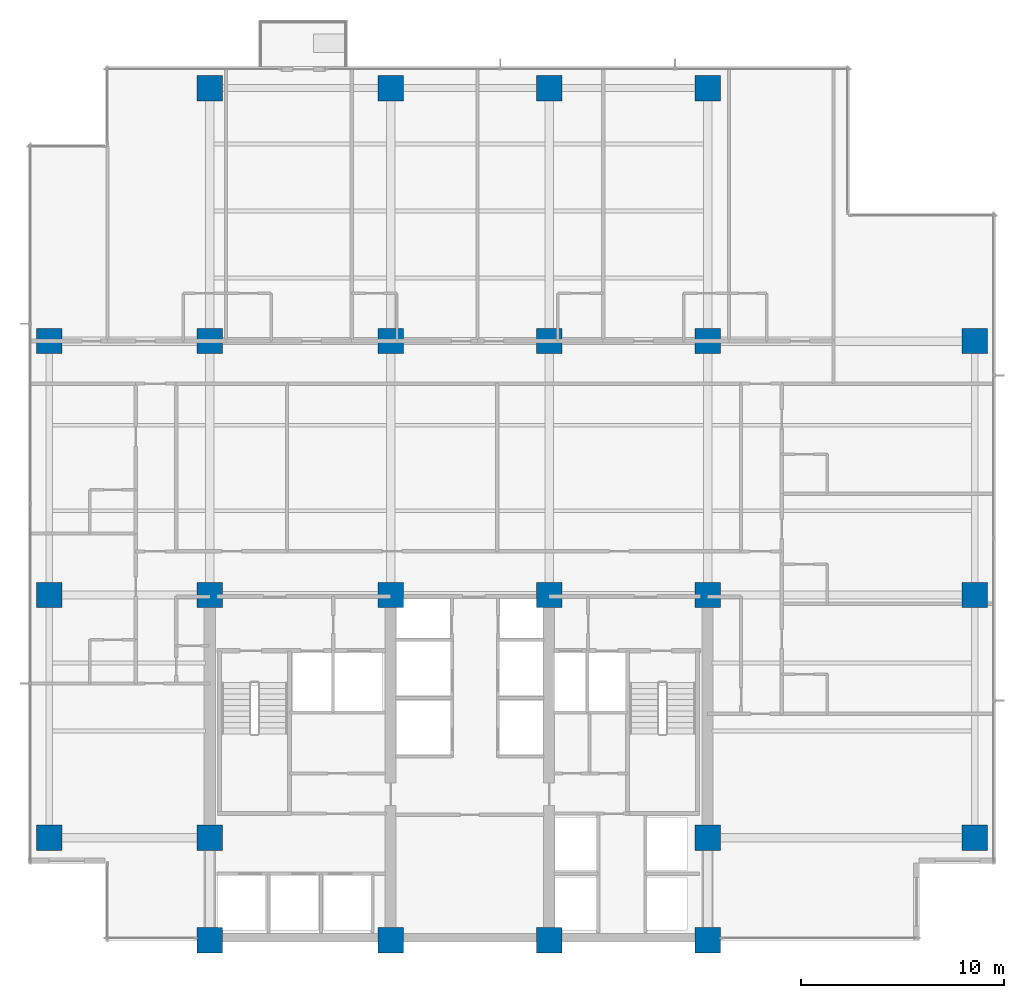
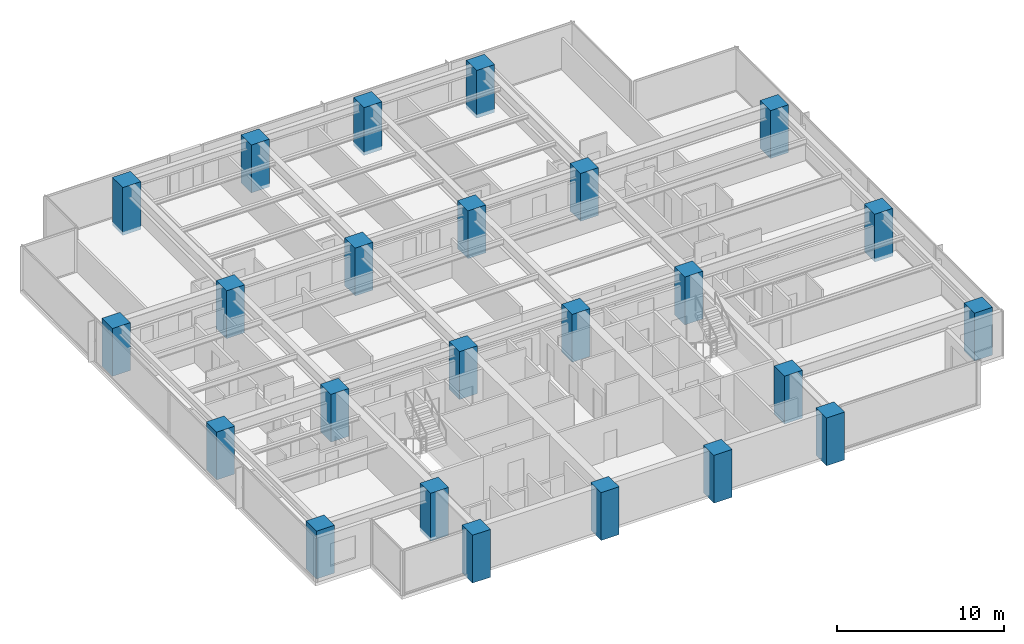
# One storey, part 1 of 17: 24 columns.
"""IFC4 building model written with IfcOpenShell, lengths in metres."""

from ifc_helpers import new_model, si_unit, direction, frame, origin, origin_2d, place, context, subcontext, project, spatial, rectangle, extrude, material, material_profile, profile_set, type_object, element, save


model = new_model("IFC4")

# Units and contexts
model_context = context("Model", 3, precision=1e-05, world=origin(), true_north=direction((0.0, 1.0)))
body_context = subcontext(model_context, "Body", "Model", "MODEL_VIEW")
ifc_project = project(units=[si_unit("LENGTHUNIT", "METRE"), si_unit("AREAUNIT", "SQUARE_METRE"), si_unit("VOLUMEUNIT", "CUBIC_METRE"), si_unit("PLANEANGLEUNIT", "RADIAN"), si_unit("MASSUNIT", "GRAM", prefix="KILO")], contexts=[model_context])

# Site, building, storey
site_placement = place(None, origin())
site = spatial("IfcSite", under=ifc_project, at=site_placement, CompositionType="ELEMENT")
building_placement = place(site_placement, origin())
building = spatial("IfcBuilding", under=site, at=building_placement, Name="Qalmaran Belvedere Hotel", CompositionType="ELEMENT")
storey_placement = place(building_placement, frame((0.0, 0.0, 105.699951171875)))
storey = spatial("IfcBuildingStorey", under=building, at=storey_placement, Name="L26", CompositionType="ELEMENT", Elevation=105.699951171875)

# Columns
ifc_material = material(Name="Concrete C60/75", Category="concrete")
ifc_material_profile = material_profile(ifc_material, rectangle(XDim=1.25, YDim=1.25, at=origin_2d()), Name="CC1250X1250")
ifc_profile_set = profile_set([ifc_material_profile], Name="Concrete C60/75")
column_type = type_object("IfcColumnType", Name="COL-Z2-CC1250", PredefinedType="COLUMN", material=ifc_profile_set)
for number, where, z_axis, x_axis, name in (
    (1, (20.300048828125, 3.5, -0.260009765625), (0.0, 0.0, 1.0), (1.0, 0.0, 0.0), "L26 Column C4B"),
    (2, (29.199951171875, 3.5, -0.260009765625), (0.0, 0.0, 1.0), (1.0, 0.0, 0.0), "L26 Column C5B"),
    (3, (37.0, 3.5, -0.260009765625), (0.0, 0.0, 1.0), (1.0, 0.0, 0.0), "L26 Column C6B"),
    (4, (44.800048828125, 3.5, -0.260009765625), (0.0, 0.0, 1.0), (1.0, 0.0, 0.0), "L26 Column C7B"),
    (5, (20.300048828125, 8.550048828125, -0.260009765625), (0.0, 0.0, 1.0), (1.0, 0.0, 0.0), "L26 Column C4C"),
    (6, (44.800048828125, 8.550048828125, -0.260009765625), (0.0, 0.0, 1.0), (1.0, 0.0, 0.0), "L26 Column C7C"),
    (7, (20.300048828125, 20.5, -0.260009765625), (0.0, 0.0, 1.0), (1.0, 0.0, 0.0), "L26 Column C4D"),
    (8, (29.199951171875, 20.5, -0.260009765625), (0.0, 0.0, 1.0), (1.0, 0.0, 0.0), "L26 Column C5D"),
    (9, (37.0, 20.5, -0.260009765625), (0.0, 0.0, 1.0), (1.0, 0.0, 0.0), "L26 Column C6D"),
    (10, (44.800048828125, 20.5, -0.260009765625), (0.0, 0.0, 1.0), (1.0, 0.0, 0.0), "L26 Column C7D"),
    (11, (20.300048828125, 33.0, -0.260009765625), (0.0, 0.0, 1.0), (1.0, 0.0, 0.0), "L26 Column C4F"),
    (12, (29.199951171875, 33.0, -0.260009765625), (0.0, 0.0, 1.0), (1.0, 0.0, 0.0), "L26 Column C5F"),
    (13, (37.0, 33.0, -0.260009765625), (0.0, 0.0, 1.0), (1.0, 0.0, 0.0), "L26 Column C6F"),
    (14, (44.800048828125, 33.0, -0.260009765625), (0.0, 0.0, 1.0), (1.0, 0.0, 0.0), "L26 Column C7F"),
    (15, (12.39990234375, 8.550048828125, -0.260009765625), (0.0, 0.0, 1.0), (1.0, 0.0, 0.0), "L26 Column CW1"),
    (16, (12.39990234375, 20.5, -0.260009765625), (0.0, 0.0, 1.0), (1.0, 0.0, 0.0), "L26 Column CW3"),
    (17, (12.39990234375, 33.0, -0.260009765625), (0.0, 0.0, 1.0), (1.0, 0.0, 0.0), "L26 Column CW4"),
    (18, (57.949951171875, 8.550048828125, -0.260009765625), (0.0, 0.0, 1.0), (1.0, 0.0, 0.0), "L26 Column CE1"),
    (19, (57.949951171875, 20.5, -0.260009765625), (0.0, 0.0, 1.0), (1.0, 0.0, 0.0), "L26 Column CE3"),
    (20, (57.949951171875, 33.0, -0.260009765625), (0.0, 0.0, 1.0), (1.0, 0.0, 0.0), "L26 Column CE4"),
    (21, (20.300048828125, 45.449951171875, -0.260009765625), (0.0, 0.0, 1.0), (1.0, 0.0, 0.0), "L26 Column CN1"),
    (22, (29.199951171875, 45.449951171875, -0.260009765625), (0.0, 0.0, 1.0), (1.0, 0.0, 0.0), "L26 Column CN2"),
    (23, (37.0, 45.449951171875, -0.260009765625), (0.0, 0.0, 1.0), (1.0, 0.0, 0.0), "L26 Column CN3"),
    (24, (44.800048828125, 45.449951171875, -0.260009765625), (0.0, 0.0, 1.0), (1.0, 0.0, 0.0), "L26 Column CN4"),
):
    element("IfcColumn", number, at=place(storey_placement, frame(where, z_axis=z_axis, x_axis=x_axis)), inside=storey, type_object=column_type, Name=name, PredefinedType="COLUMN", context=body_context, shape_type="SweptSolid", body=[
        extrude(rectangle(XDim=1.25, YDim=1.25, at=origin_2d()), origin(), (0.0, 0.0, 1.0), 3.5),
    ])

save(model, "model.ifc")
